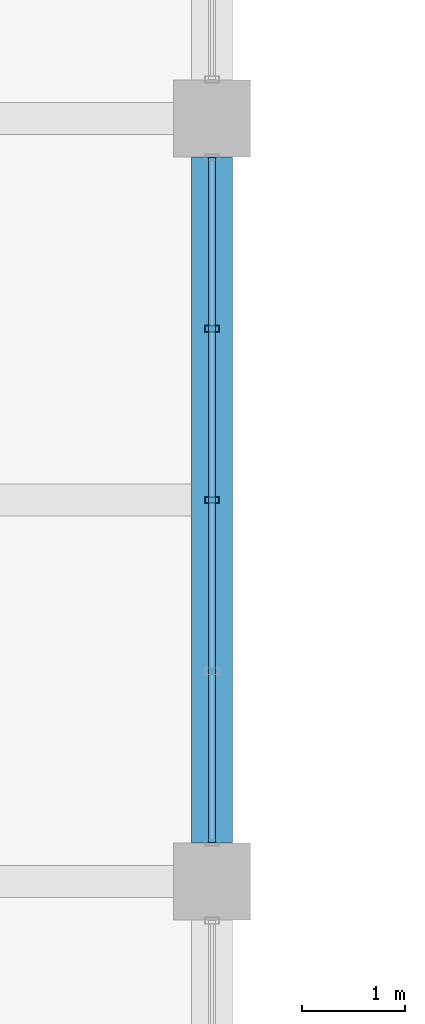
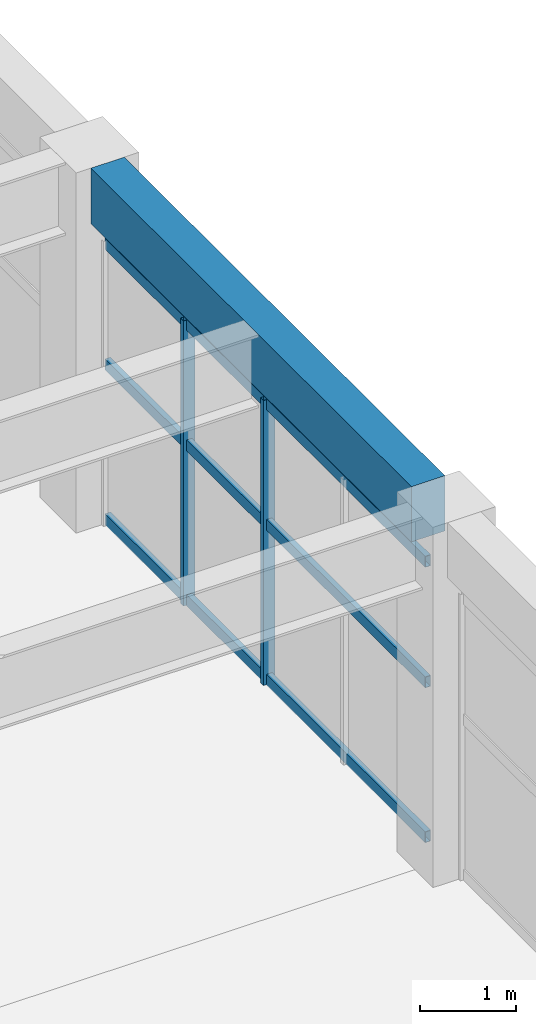
# One storey, part 91 of 161: 5 members, 1 beam, 1 element without a shape of its own.
"""IFC4 building model written with IfcOpenShell, lengths in metres."""

from ifc_helpers import new_model, si_unit, direction, frame, origin, origin_2d, place, context, subcontext, project, spatial, rectangle, hollow_rectangle, extrude, material, material_profile, profile_set, type_object, element, aggregate, save


model = new_model("IFC4")

# Units and contexts
model_context = context("Model", 3, precision=1e-05, world=origin(), true_north=direction((0.0, 1.0)))
body_context = subcontext(model_context, "Body", "Model", "MODEL_VIEW")
ifc_project = project(units=[si_unit("LENGTHUNIT", "METRE"), si_unit("AREAUNIT", "SQUARE_METRE"), si_unit("VOLUMEUNIT", "CUBIC_METRE"), si_unit("PLANEANGLEUNIT", "RADIAN"), si_unit("MASSUNIT", "GRAM", prefix="KILO")], contexts=[model_context])

# Site, building, storey
site_placement = place(None, origin())
site = spatial("IfcSite", under=ifc_project, at=site_placement, CompositionType="ELEMENT")
building_placement = place(site_placement, origin())
building = spatial("IfcBuilding", under=site, at=building_placement, Name="Cimatlan Art Gallery", CompositionType="ELEMENT")
storey_placement = place(building_placement, frame((0.0, 0.0, 5.39990234375)))
storey = spatial("IfcBuildingStorey", under=building, at=storey_placement, Name="L01", CompositionType="ELEMENT", Elevation=5.39990234375)

# Beam
ifc_material_1 = material(Name="Concrete C40/50", Category="concrete")
ifc_material_profile_1 = material_profile(ifc_material_1, rectangle(XDim=0.39990234375, YDim=0.699951171875, at=origin_2d()), Name="RC400X700")
ifc_profile_set_1 = profile_set([ifc_material_profile_1], Name="Concrete C40/50")
beam_type = type_object("IfcBeamType", Name="BM-RC-400X700", PredefinedType="BEAM", material=ifc_profile_set_1)
beam_placement = place(storey_placement, frame((99.199951171875, 76.074951171875, 4.210205078125), z_axis=(0.0, 1.0, 0.0), x_axis=(-1.0, 0.0, 0.0)))
element("IfcBeam", 1, at=beam_placement, inside=storey, type_object=beam_type, Name="BM-Y-L01-12-10", PredefinedType="BEAM", context=body_context, shape_type="SweptSolid", body=[
    extrude(rectangle(XDim=0.39990234375, YDim=0.699951171875, at=origin_2d()), origin(), (0.0, 0.0, 1.0), 6.650146484375),
])

# Curtain wall, members
ifc_material_2 = material(Name="Anodised bronze unitised curtain wall")
curtain_wall_type = type_object("IfcCurtainWallType", Name="CW-V-06642X03607-B4", PredefinedType="NOTDEFINED", material=ifc_material_2)
curtain_wall_placement = place(storey_placement, origin())
curtain_wall = element("IfcCurtainWall", 2, at=curtain_wall_placement, inside=storey, type_object=curtain_wall_type, Name="CW-L01-11-10-E", PredefinedType="NOTDEFINED")
ifc_material_3 = material(Name="Anodised bronze aluminium 6063-T6", Category="aluminium")
ifc_material_profile_2 = material_profile(ifc_material_3, hollow_rectangle(XDim=0.06494140625, YDim=0.139892578125, WallThickness=0.00390625, at=origin_2d()), Name="ALU65X140X4")
ifc_profile_set_2 = profile_set([ifc_material_profile_2], Name="Anodised bronze aluminium 6063-T6")
member_type_1 = type_object("IfcMemberType", Name="CW-MUL-140", PredefinedType="MULLION", material=ifc_profile_set_2)
member_1_placement = place(storey_placement, frame((99.199951171875, 81.060546875, 0.0), z_axis=(0.0, 0.0, 1.0), x_axis=(0.0, 1.0, 0.0)))
member_1 = element("IfcMember", 3, at=member_1_placement, type_object=member_type_1, Name="CW-L01-11-10-E-M2", PredefinedType="MULLION", context=body_context, shape_type="SweptSolid", body=[
    extrude(hollow_rectangle(XDim=0.06494140625, YDim=0.139892578125, WallThickness=0.00390625, at=origin_2d()), origin(), (0.0, 0.0, 1.0), 3.607177734375),
])
member_2_placement = place(storey_placement, frame((99.199951171875, 79.39990234375, 0.0), z_axis=(0.0, 0.0, 1.0), x_axis=(0.0, 1.0, 0.0)))
member_2 = element("IfcMember", 4, at=member_2_placement, type_object=member_type_1, Name="CW-L01-11-10-E-M3", PredefinedType="MULLION", context=body_context, shape_type="SweptSolid", body=[
    extrude(hollow_rectangle(XDim=0.06494140625, YDim=0.139892578125, WallThickness=0.00390625, at=origin_2d()), origin(), (0.0, 0.0, 1.0), 3.607177734375),
])
ifc_material_profile_3 = material_profile(ifc_material_3, hollow_rectangle(XDim=0.06494140625, YDim=0.139892578125, WallThickness=0.00390625, at=origin_2d()), Name="ALU65X140X4")
ifc_profile_set_3 = profile_set([ifc_material_profile_3], Name="Anodised bronze aluminium 6063-T6")
member_type_2 = type_object("IfcMemberType", Name="CW-TRN-140", PredefinedType="USERDEFINED", material=ifc_profile_set_3)
member_3_placement = place(storey_placement, frame((99.199951171875, 82.720947265625, 0.06005859375), z_axis=(0.0, -1.0, 0.0), x_axis=(1.0, 0.0, 0.0)))
member_3 = element("IfcMember", 5, at=member_3_placement, type_object=member_type_2, Name="CW-L01-11-10-E-T1", ObjectType="TRANSOM", PredefinedType="USERDEFINED", context=body_context, shape_type="SweptSolid", body=[
    extrude(hollow_rectangle(XDim=0.06494140625, YDim=0.139892578125, WallThickness=0.00390625, at=origin_2d()), origin(), (0.0, 0.0, 1.0), 6.641845703125),
])
member_4_placement = place(storey_placement, frame((99.199951171875, 82.720947265625, 2.02001953125), z_axis=(0.0, -1.0, 0.0), x_axis=(1.0, 0.0, 0.0)))
member_4 = element("IfcMember", 6, at=member_4_placement, type_object=member_type_2, Name="CW-L01-11-10-E-T2", ObjectType="TRANSOM", PredefinedType="USERDEFINED", context=body_context, shape_type="SweptSolid", body=[
    extrude(hollow_rectangle(XDim=0.06494140625, YDim=0.139892578125, WallThickness=0.00390625, at=origin_2d()), origin(), (0.0, 0.0, 1.0), 6.641845703125),
])
member_5_placement = place(storey_placement, frame((99.199951171875, 82.720947265625, 3.547119140625), z_axis=(0.0, -1.0, 0.0), x_axis=(1.0, 0.0, 0.0)))
member_5 = element("IfcMember", 7, at=member_5_placement, type_object=member_type_2, Name="CW-L01-11-10-E-T3", ObjectType="TRANSOM", PredefinedType="USERDEFINED", context=body_context, shape_type="SweptSolid", body=[
    extrude(hollow_rectangle(XDim=0.06494140625, YDim=0.139892578125, WallThickness=0.00390625, at=origin_2d()), origin(), (0.0, 0.0, 1.0), 6.641845703125),
])
aggregate(curtain_wall, [member_1, member_2, member_3, member_4, member_5])

save(model, "model.ifc")
